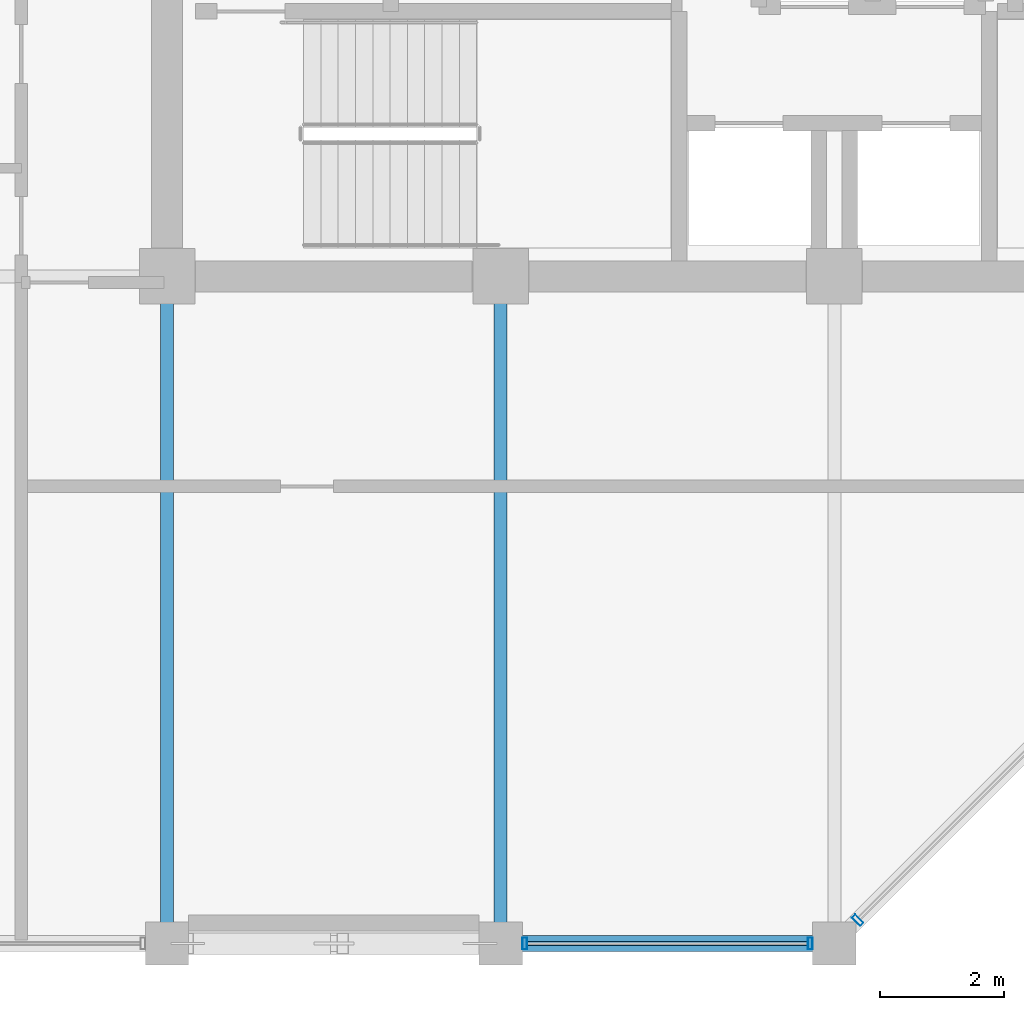
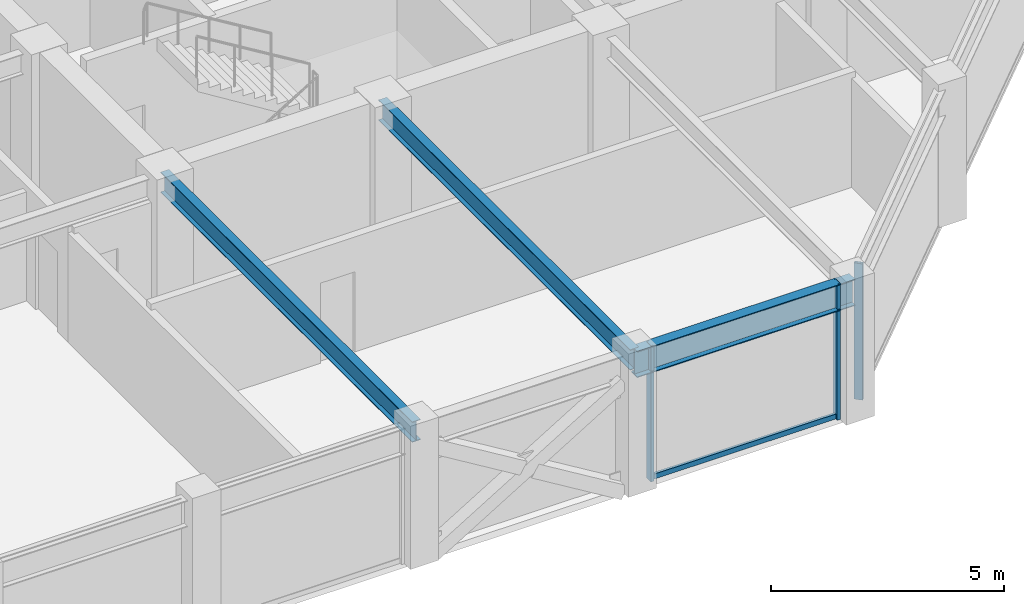
# One storey, part 6 of 31: 4 members, 3 beams, 2 elements without a shape of their own.
"""IFC4 building model written with IfcOpenShell, lengths in metres."""

from ifc_helpers import new_model, si_unit, direction, frame, origin, origin_2d, place, context, subcontext, project, spatial, hollow_rectangle, i_section, extrude, material, layer, layer_set, material_profile, profile_set, type_object, element, aggregate, save


model = new_model("IFC4")

# Units and contexts
model_context = context("Model", 3, precision=1e-05, world=origin(), true_north=direction((0.0, 1.0)))
body_context = subcontext(model_context, "Body", "Model", "MODEL_VIEW")
ifc_project = project(units=[si_unit("LENGTHUNIT", "METRE"), si_unit("AREAUNIT", "SQUARE_METRE"), si_unit("VOLUMEUNIT", "CUBIC_METRE"), si_unit("PLANEANGLEUNIT", "RADIAN"), si_unit("MASSUNIT", "GRAM", prefix="KILO")], contexts=[model_context])

# Site, building, storey
site_placement = place(None, origin())
site = spatial("IfcSite", under=ifc_project, at=site_placement, CompositionType="ELEMENT")
building_placement = place(site_placement, origin())
building = spatial("IfcBuilding", under=site, at=building_placement, Name="Surkhivell Harbour Commons", CompositionType="ELEMENT")
storey_placement = place(building_placement, frame((0.0, 0.0, 330.0)))
storey = spatial("IfcBuildingStorey", under=building, at=storey_placement, Name="L86", CompositionType="ELEMENT", Elevation=330.0)

# Beams
ifc_material_1 = material(Name="Steel S355", Category="steel")
ifc_material_profile_1 = material_profile(ifc_material_1, i_section(OverallWidth=0.2099609375, OverallDepth=0.537109375, WebThickness=0.0107421875, FlangeThickness=0.017333984375, at=origin_2d()), Name="UB533x210x101")
ifc_profile_set_1 = profile_set([ifc_material_profile_1], Name="Steel S355")
beam_type_1 = type_object("IfcBeamType", Name="BM-GRD-533B", PredefinedType="BEAM", material=ifc_profile_set_1)
for number, where, z_axis, x_axis, name in (
    (1, (-10.800048828125, -21.60009765625, 3.301513671875), (0.0, 1.0, 0.0), (-1.0, 0.0, 0.0), "L86 Floor Girder (-10.8,-21.6)"),
    (2, (-5.39990234375, -21.60009765625, 3.301513671875), (0.0, 1.0, 0.0), (-1.0, 0.0, 0.0), "L86 Floor Girder (-5.4,-21.6)"),
):
    element("IfcBeam", number, at=place(storey_placement, frame(where, z_axis=z_axis, x_axis=x_axis)), inside=storey, type_object=beam_type_1, Name=name, PredefinedType="BEAM", context=body_context, shape_type="SweptSolid", body=[
        extrude(i_section(OverallWidth=0.2099609375, OverallDepth=0.537109375, WebThickness=0.0107421875, FlangeThickness=0.017333984375, at=origin_2d()), origin(), (0.0, 0.0, 1.0), 10.800048828125),
    ])
ifc_material_profile_2 = material_profile(ifc_material_1, i_section(OverallWidth=0.256103515625, OverallDepth=0.693115234375, WebThickness=0.014404296875, FlangeThickness=0.023681640625, at=origin_2d()), Name="UB686x254x170")
ifc_profile_set_2 = profile_set([ifc_material_profile_2], Name="Steel S355")
beam_type_2 = type_object("IfcBeamType", Name="BM-SPN-686", PredefinedType="SPANDREL", material=ifc_profile_set_2)
beam_placement = place(storey_placement, frame((-5.39990234375, -21.60009765625, 3.223388671875), z_axis=(1.0, 0.0, 0.0), x_axis=(0.0, 1.0, 0.0)))
element("IfcBeam", 3, at=beam_placement, inside=storey, type_object=beam_type_2, Name="L86 Tube Spandrel (-5.4,-21.6)", PredefinedType="SPANDREL", context=body_context, shape_type="SweptSolid", body=[
    extrude(i_section(OverallWidth=0.256103515625, OverallDepth=0.693115234375, WebThickness=0.014404296875, FlangeThickness=0.023681640625, at=origin_2d()), origin(), (0.0, 0.0, 1.0), 5.39990234375),
])

# Curtain wall, members
ifc_material_2 = material(Name="Anodised pale-metal aluminium and insulated glazing", Category="aluminium")
ifc_layer = layer(ifc_material_2, 0.175048828125)
ifc_layer_set = layer_set([ifc_layer], Name="Anodised pale-metal aluminium and insulated glazing")
curtain_wall_type = type_object("IfcCurtainWallType", Name="CW-SYS-Z4", PredefinedType="NOTDEFINED", material=ifc_layer_set)
curtain_wall_1_placement = place(storey_placement, origin())
curtain_wall_1 = element("IfcCurtainWall", 4, at=curtain_wall_1_placement, inside=storey, type_object=curtain_wall_type, Name="L86 Curtain Wall CW-L86-E00S2", PredefinedType="NOTDEFINED")
ifc_material_3 = material(Name="Anodised pale-metal aluminium alloy 6063-T6", Category="aluminium")
ifc_material_profile_3 = material_profile(ifc_material_3, hollow_rectangle(XDim=0.074951171875, YDim=0.18994140625, WallThickness=0.00390625, at=origin_2d()), Name="ALU-MULL-75x190")
ifc_profile_set_3 = profile_set([ifc_material_profile_3], Name="Anodised pale-metal aluminium alloy 6063-T6")
member_type_1 = type_object("IfcMemberType", Name="CWM-190", PredefinedType="MULLION", material=ifc_profile_set_3)
member_1_placement = place(storey_placement, frame((-5.010498046875, -21.60009765625, 0.0), z_axis=(0.0, 0.0, 1.0), x_axis=(1.0, 0.0, 0.0)))
member_1 = element("IfcMember", 5, at=member_1_placement, type_object=member_type_1, Name="CW-Z4 mullion 1", PredefinedType="MULLION", context=body_context, shape_type="SweptSolid", body=[
    extrude(hollow_rectangle(XDim=0.074951171875, YDim=0.18994140625, WallThickness=0.00390625, at=origin_2d()), origin(), (0.0, 0.0, 1.0), 3.570068359375),
])
member_2_placement = place(storey_placement, frame((-0.389404296875, -21.60009765625, 0.0), z_axis=(0.0, 0.0, 1.0), x_axis=(1.0, 0.0, 0.0)))
member_2 = element("IfcMember", 6, at=member_2_placement, type_object=member_type_1, Name="CW-Z4 mullion 2", PredefinedType="MULLION", context=body_context, shape_type="SweptSolid", body=[
    extrude(hollow_rectangle(XDim=0.074951171875, YDim=0.18994140625, WallThickness=0.00390625, at=origin_2d()), origin(), (0.0, 0.0, 1.0), 3.570068359375),
])

# Curtain wall, member
curtain_wall_2_placement = place(storey_placement, origin())
curtain_wall_2 = element("IfcCurtainWall", 7, at=curtain_wall_2_placement, inside=storey, type_object=curtain_wall_type, Name="L86 Curtain Wall CW-L86-E01", PredefinedType="NOTDEFINED")
member_3_placement = place(storey_placement, frame((0.378173828125, -21.221923828125, 0.0), z_axis=(0.0, 0.0, 1.0), x_axis=(0.707106781187, 0.707106781187, 0.0)))
member_3 = element("IfcMember", 8, at=member_3_placement, type_object=member_type_1, Name="CW-Z4 mullion 1", PredefinedType="MULLION", context=body_context, shape_type="SweptSolid", body=[
    extrude(hollow_rectangle(XDim=0.074951171875, YDim=0.18994140625, WallThickness=0.00390625, at=origin_2d()), origin(), (0.0, 0.0, 1.0), 3.570068359375),
])
aggregate(curtain_wall_2, [member_3])

# Member
ifc_material_4 = material(Name="Champagne anodised aluminium alloy 6063-T6", Category="aluminium")
ifc_material_profile_4 = material_profile(ifc_material_4, hollow_rectangle(XDim=0.070068359375, YDim=0.1298828125, WallThickness=0.00341796875, at=origin_2d()), Name="ALU-TRAN-70x130")
ifc_profile_set_4 = profile_set([ifc_material_profile_4], Name="Champagne anodised aluminium alloy 6063-T6")
member_type_2 = type_object("IfcMemberType", Name="CWT-130", PredefinedType="USERDEFINED", material=ifc_profile_set_4)
member_4_placement = place(storey_placement, frame((-4.972900390625, -21.60009765625, 0.06494140625), z_axis=(1.0, 0.0, 0.0), x_axis=(0.0, 1.0, 0.0)))
member_4 = element("IfcMember", 9, at=member_4_placement, type_object=member_type_2, Name="CW-Z4 transom 1.1", ObjectType="TRANSOM", PredefinedType="USERDEFINED", context=body_context, shape_type="SweptSolid", body=[
    extrude(hollow_rectangle(XDim=0.070068359375, YDim=0.1298828125, WallThickness=0.00341796875, at=origin_2d()), origin(), (0.0, 0.0, 1.0), 4.5458984375),
])

aggregate(curtain_wall_1, [member_1, member_2, member_4])

save(model, "model.ifc")
